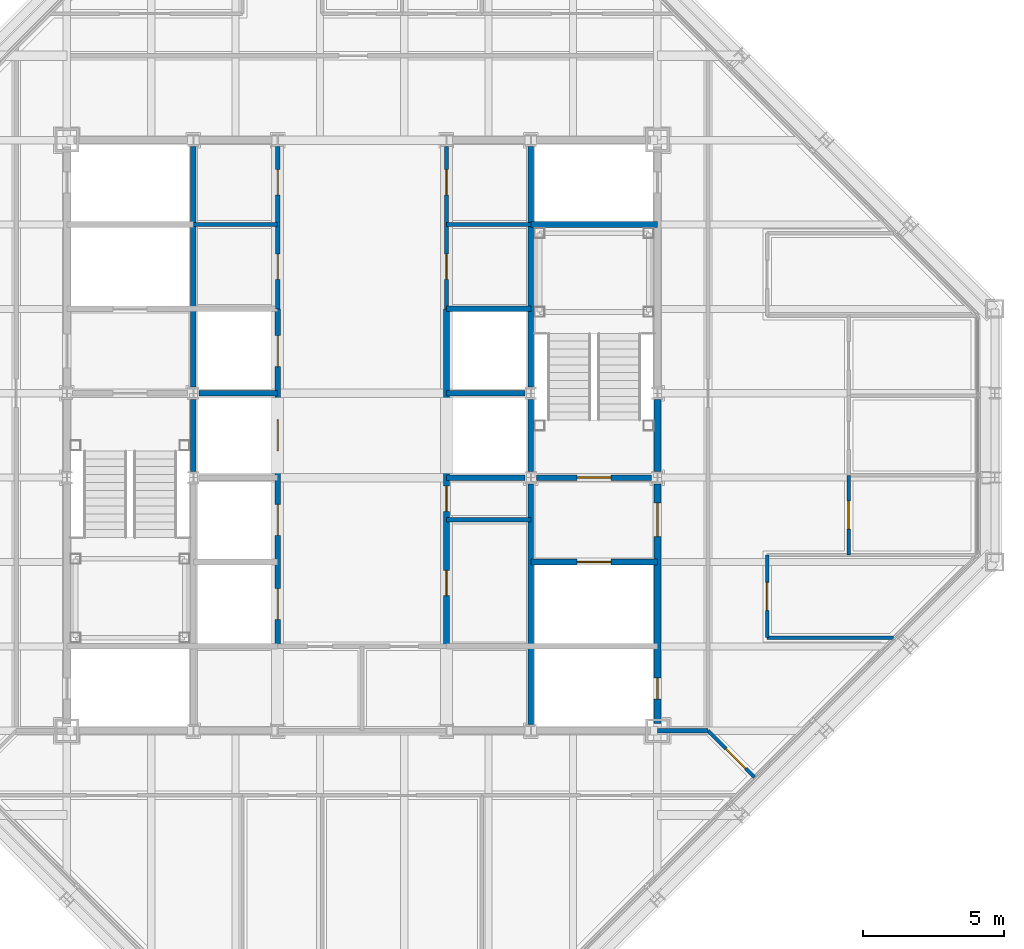
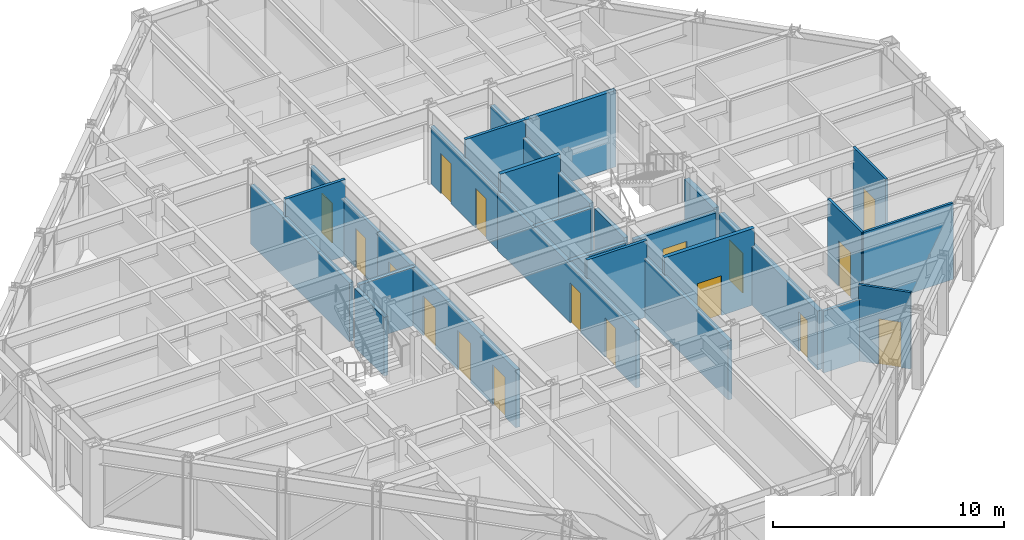
# One storey, part 11 of 15: 26 walls, 17 doors, 17 openings.
"""IFC4 building model written with IfcOpenShell, lengths in metres."""

from ifc_helpers import new_model, si_unit, direction, frame, frame_2d, origin, place, context, subcontext, project, spatial, rectangle, extrude, material, layer, layer_set, type_object, element, fill, save


model = new_model("IFC4")

# Units and contexts
model_context = context("Model", 3, precision=1e-05, world=origin(), true_north=direction((0.0, 1.0)))
body_context = subcontext(model_context, "Body", "Model", "MODEL_VIEW")
ifc_project = project(units=[si_unit("LENGTHUNIT", "METRE"), si_unit("AREAUNIT", "SQUARE_METRE"), si_unit("VOLUMEUNIT", "CUBIC_METRE"), si_unit("PLANEANGLEUNIT", "RADIAN"), si_unit("MASSUNIT", "GRAM", prefix="KILO")], contexts=[model_context])

# Site, building, storey
site_placement = place(None, origin())
site = spatial("IfcSite", under=ifc_project, at=site_placement, CompositionType="ELEMENT")
building_placement = place(site_placement, origin())
building = spatial("IfcBuilding", under=site, at=building_placement, Name="Chuquiago Exchange Tower", CompositionType="ELEMENT")
storey_placement = place(building_placement, frame((0.0, 0.0, 291.60009765625)))
storey = spatial("IfcBuildingStorey", under=building, at=storey_placement, Name="L65", CompositionType="ELEMENT", Elevation=291.60009765625)

# Wall, openings, doors
ifc_material_1 = material(Name="Concrete masonry, fully grouted", Category="masonry")
ifc_layer_1 = layer(ifc_material_1, 0.25)
ifc_layer_set_1 = layer_set([ifc_layer_1], Name="W1 core wall 250")
wall_type_1 = type_object("IfcWallType", Name="W1 core wall 250", PredefinedType="SOLIDWALL", material=ifc_layer_set_1)
wall_1_placement = place(storey_placement, frame((33.0, 12.25, 0.0), z_axis=(0.0, 0.0, 1.0), x_axis=(0.0, 1.0, 0.0)))
wall_1 = element("IfcWall", 1, at=wall_1_placement, inside=storey, type_object=wall_type_1, Name="CW-L65-25-0", PredefinedType="SOLIDWALL", context=body_context, shape_type="SweptSolid", body=[
    extrude(rectangle(XDim=8.527587890625, YDim=0.25, at=frame_2d((4.263671875, 0.0))), origin(), (0.0, 0.0, 1.0), 3.11279296875),
])
opening_1_placement = place(wall_1_placement, frame((6.64990234375, 0.0, 0.0)))
opening_1 = element("IfcOpeningElement", 2, at=opening_1_placement, cuts=wall_1, Name="Opening L65-004", PredefinedType="OPENING", context=body_context, shape_type="SweptSolid", body=[
    extrude(rectangle(XDim=1.199951171875, YDim=2.10009765625, at=frame_2d((0.60009765625, 1.050048828125))), frame((0.0, 0.135009765625, 0.0), z_axis=(0.0, -1.0, 0.0), x_axis=(1.0, 0.0, 0.0)), (0.0, 0.0, 1.0), 0.27001953125),
])
opening_2_placement = place(wall_1_placement, frame((0.875, 0.0, 0.0)))
opening_2 = element("IfcOpeningElement", 3, at=opening_2_placement, cuts=wall_1, Name="Opening L65-009", PredefinedType="OPENING", context=body_context, shape_type="SweptSolid", body=[
    extrude(rectangle(XDim=0.75, YDim=2.10009765625, at=frame_2d((0.375, 1.050048828125))), frame((0.0, 0.135009765625, 0.0), z_axis=(0.0, -1.0, 0.0), x_axis=(1.0, 0.0, 0.0)), (0.0, 0.0, 1.0), 0.27001953125),
])
ifc_material_2 = material(Name="Steel door, painted", Category="steel")
door_type_1 = type_object("IfcDoorType", Name="D5 firefighting lobby door 1200x2100", OperationType="SINGLE_SWING_LEFT", PredefinedType="DOOR", material=ifc_material_2)
door_1_placement = place(opening_1_placement, origin())
door_1 = element("IfcDoor", 4, at=door_1_placement, inside=storey, type_object=door_type_1, Name="Firefighting lobby 2 door", OperationType="SINGLE_SWING_RIGHT", OverallHeight=2.10009765625, OverallWidth=1.199951171875, PredefinedType="DOOR", context=body_context, shape_type="SweptSolid", body=[
    extrude(rectangle(XDim=1.199951171875, YDim=2.10009765625, at=frame_2d((0.60009765625, 1.050048828125))), frame((0.0, 0.02490234375, 0.0), z_axis=(0.0, -1.0, 0.0), x_axis=(1.0, 0.0, 0.0)), (0.0, 0.0, 1.0), 0.050048828125),
])
fill(opening_1, door_1)
ifc_material_3 = material(Name="Steel door, painted", Category="steel")
door_type_2 = type_object("IfcDoorType", Name="D6 riser access door 750x2100", OperationType="SINGLE_SWING_LEFT", PredefinedType="DOOR", material=ifc_material_3)
door_2_placement = place(opening_2_placement, origin())
door_2 = element("IfcDoor", 5, at=door_2_placement, inside=storey, type_object=door_type_2, Name="Riser RE1 door", OperationType="SINGLE_SWING_LEFT", OverallHeight=2.10009765625, OverallWidth=0.75, PredefinedType="DOOR", context=body_context, shape_type="SweptSolid", body=[
    extrude(rectangle(XDim=0.75, YDim=2.10009765625, at=frame_2d((0.375, 1.050048828125))), frame((0.0, 0.02490234375, 0.0), z_axis=(0.0, -1.0, 0.0), x_axis=(1.0, 0.0, 0.0)), (0.0, 0.0, 1.0), 0.050048828125),
])
fill(opening_2, door_2)

# Walls
wall_2_placement = place(storey_placement, frame((33.0, 21.222412109375, 0.0), z_axis=(0.0, 0.0, 1.0), x_axis=(0.0, 1.0, 0.0)))
element("IfcWall", 6, at=wall_2_placement, inside=storey, type_object=wall_type_1, Name="CW-L65-25-1", PredefinedType="SOLIDWALL", context=body_context, shape_type="SweptSolid", body=[
    extrude(rectangle(XDim=2.55517578125, YDim=0.25, at=frame_2d((1.277587890625, 0.0))), origin(), (0.0, 0.0, 1.0), 3.11279296875),
])
ifc_material_4 = material(Name="Gypsum board on steel studs, acoustic insulation", Category="steel")
ifc_layer_2 = layer(ifc_material_4, 0.14990234375)
ifc_layer_set_2 = layer_set([ifc_layer_2], Name="W11 corridor wall 150")
wall_type_2 = type_object("IfcWallType", Name="W11 corridor wall 150", PredefinedType="PARTITIONING", material=ifc_layer_set_2)
wall_3_placement = place(storey_placement, frame((33.0, 12.0, 0.0), z_axis=(0.0, 0.0, 1.0), x_axis=(1.0, 0.0, 0.0)))
element("IfcWall", 7, at=wall_3_placement, inside=storey, type_object=wall_type_2, Name="PW-L65-GES0", PredefinedType="PARTITIONING", context=body_context, shape_type="SweptSolid", body=[
    extrude(rectangle(XDim=1.800048828125, YDim=0.14990234375, at=frame_2d((0.89990234375, 0.0))), origin(), (0.0, 0.0, 1.0), 3.270263671875),
])
ifc_material_5 = material(Name="Concrete masonry, fully grouted", Category="masonry")
ifc_layer_3 = layer(ifc_material_5, 0.199951171875)
ifc_layer_set_3 = layer_set([ifc_layer_3], Name="W2 shaft wall 200")
wall_type_3 = type_object("IfcWallType", Name="W2 shaft wall 200", PredefinedType="SOLIDWALL", material=ifc_layer_set_3)
for number, where, z_axis, x_axis, name in (
    (8, (16.708251953125, 24.0, 0.0), (0.0, 0.0, 1.0), (1.0, 0.0, 0.0), "CW-L65-05-1"),
    (9, (25.5, 24.0, 0.0), (0.0, 0.0, 1.0), (1.0, 0.0, 0.0), "CW-L65-06-0"),
):
    element("IfcWall", number, at=place(storey_placement, frame(where, z_axis=z_axis, x_axis=x_axis)), inside=storey, type_object=wall_type_3, Name=name, PredefinedType="SOLIDWALL", context=body_context, shape_type="SweptSolid", body=[
        extrude(rectangle(XDim=2.791748046875, YDim=0.199951171875, at=frame_2d((1.39599609375, 0.0))), origin(), (0.0, 0.0, 1.0), 3.08984375),
    ])
wall_4_placement = place(storey_placement, frame((25.5, 27.0, 0.0), z_axis=(0.0, 0.0, 1.0), x_axis=(1.0, 0.0, 0.0)))
element("IfcWall", 10, at=wall_4_placement, inside=storey, type_object=wall_type_3, Name="CW-L65-08-0", PredefinedType="SOLIDWALL", context=body_context, shape_type="SweptSolid", body=[
    extrude(rectangle(XDim=3.0, YDim=0.199951171875, at=frame_2d((1.5, 0.0))), origin(), (0.0, 0.0, 1.0), 4.039794921875),
])
wall_5_placement = place(storey_placement, frame((28.5, 30.0, 0.0), z_axis=(0.0, 0.0, 1.0), x_axis=(1.0, 0.0, 0.0)))
element("IfcWall", 11, at=wall_5_placement, inside=storey, type_object=wall_type_3, Name="CW-L65-10-0", PredefinedType="SOLIDWALL", context=body_context, shape_type="SweptSolid", body=[
    extrude(rectangle(XDim=4.5, YDim=0.199951171875, at=frame_2d((2.25, 0.0))), origin(), (0.0, 0.0, 1.0), 4.039794921875),
])
wall_6_placement = place(storey_placement, frame((16.5, 21.222412109375, 0.0), z_axis=(0.0, 0.0, 1.0), x_axis=(0.0, 1.0, 0.0)))
element("IfcWall", 12, at=wall_6_placement, inside=storey, type_object=wall_type_3, Name="CW-L65-13-1", PredefinedType="SOLIDWALL", context=body_context, shape_type="SweptSolid", body=[
    extrude(rectangle(XDim=2.55517578125, YDim=0.199951171875, at=frame_2d((1.277587890625, 0.0))), origin(), (0.0, 0.0, 1.0), 3.11279296875),
])
wall_7_placement = place(storey_placement, frame((16.5, 24.222412109375, 0.0), z_axis=(0.0, 0.0, 1.0), x_axis=(0.0, 1.0, 0.0)))
element("IfcWall", 13, at=wall_7_placement, inside=storey, type_object=wall_type_3, Name="CW-L65-13-2", PredefinedType="SOLIDWALL", context=body_context, shape_type="SweptSolid", body=[
    extrude(rectangle(XDim=8.55517578125, YDim=0.199951171875, at=frame_2d((4.277587890625, 0.0))), origin(), (0.0, 0.0, 1.0), 3.11279296875),
])

# Wall, opening, door
wall_8_placement = place(storey_placement, frame((28.5, 18.0, 0.0), z_axis=(0.0, 0.0, 1.0), x_axis=(1.0, 0.0, 0.0)))
wall_8 = element("IfcWall", 14, at=wall_8_placement, inside=storey, type_object=wall_type_3, Name="CW-L65-15-0", PredefinedType="SOLIDWALL", context=body_context, shape_type="SweptSolid", body=[
    extrude(rectangle(XDim=4.5, YDim=0.199951171875, at=frame_2d((2.25, 0.0))), origin(), (0.0, 0.0, 1.0), 4.039794921875),
])
opening_3_placement = place(wall_8_placement, frame((1.64990234375, 0.0, 0.0)))
opening_3 = element("IfcOpeningElement", 15, at=opening_3_placement, cuts=wall_8, Name="Opening L65-006", PredefinedType="OPENING", context=body_context, shape_type="SweptSolid", body=[
    extrude(rectangle(XDim=1.199951171875, YDim=2.10009765625, at=frame_2d((0.60009765625, 1.050048828125))), frame((0.0, 0.10986328125, 0.0), z_axis=(0.0, -1.0, 0.0), x_axis=(1.0, 0.0, 0.0)), (0.0, 0.0, 1.0), 0.219970703125),
])
ifc_material_6 = material(Name="Stainless steel lift landing door", Category="steel")
door_type_3 = type_object("IfcDoorType", Name="LD2 firefighting lift landing door 1200x2100", OperationType="DOUBLE_DOOR_SLIDING", PredefinedType="DOOR", material=ifc_material_6)
door_3_placement = place(opening_3_placement, origin())
door_3 = element("IfcDoor", 16, at=door_3_placement, inside=storey, type_object=door_type_3, Name="Firefighting lift FL2 landing door", OperationType="DOUBLE_DOOR_SLIDING", OverallHeight=2.10009765625, OverallWidth=1.199951171875, PredefinedType="DOOR", context=body_context, shape_type="SweptSolid", body=[
    extrude(rectangle(XDim=1.199951171875, YDim=2.10009765625, at=frame_2d((0.60009765625, 1.050048828125))), frame((0.0, 0.02490234375, 0.0), z_axis=(0.0, -1.0, 0.0), x_axis=(1.0, 0.0, 0.0)), (0.0, 0.0, 1.0), 0.050048828125),
])
fill(opening_3, door_3)

# Wall
wall_9_placement = place(storey_placement, frame((25.5, 21.0, 0.0), z_axis=(0.0, 0.0, 1.0), x_axis=(1.0, 0.0, 0.0)))
element("IfcWall", 17, at=wall_9_placement, inside=storey, type_object=wall_type_3, Name="CW-L65-17-0", PredefinedType="SOLIDWALL", context=body_context, shape_type="SweptSolid", body=[
    extrude(rectangle(XDim=2.791748046875, YDim=0.199951171875, at=frame_2d((1.39599609375, 0.0))), origin(), (0.0, 0.0, 1.0), 3.08984375),
])

# Wall, opening, door
wall_10_placement = place(storey_placement, frame((28.708251953125, 21.0, 0.0), z_axis=(0.0, 0.0, 1.0), x_axis=(1.0, 0.0, 0.0)))
wall_10 = element("IfcWall", 18, at=wall_10_placement, inside=storey, type_object=wall_type_3, Name="CW-L65-17-1", PredefinedType="SOLIDWALL", context=body_context, shape_type="SweptSolid", body=[
    extrude(rectangle(XDim=4.08349609375, YDim=0.199951171875, at=frame_2d((2.041748046875, 0.0))), origin(), (0.0, 0.0, 1.0), 3.08984375),
])
opening_4_placement = place(wall_10_placement, frame((1.441650390625, 0.0, 0.0)))
opening_4 = element("IfcOpeningElement", 19, at=opening_4_placement, cuts=wall_10, Name="Opening L65-003", PredefinedType="OPENING", context=body_context, shape_type="SweptSolid", body=[
    extrude(rectangle(XDim=1.199951171875, YDim=2.10009765625, at=frame_2d((0.60009765625, 1.050048828125))), frame((0.0, 0.10986328125, 0.0), z_axis=(0.0, -1.0, 0.0), x_axis=(1.0, 0.0, 0.0)), (0.0, 0.0, 1.0), 0.219970703125),
])
ifc_material_7 = material(Name="Steel door, painted", Category="steel")
door_type_4 = type_object("IfcDoorType", Name="D4 stair door 1200x2100", OperationType="SINGLE_SWING_LEFT", PredefinedType="DOOR", material=ifc_material_7)
door_4_placement = place(opening_4_placement, origin())
door_4 = element("IfcDoor", 20, at=door_4_placement, inside=storey, type_object=door_type_4, Name="Stair ST2 door", OperationType="SINGLE_SWING_RIGHT", OverallHeight=2.10009765625, OverallWidth=1.199951171875, PredefinedType="DOOR", context=body_context, shape_type="SweptSolid", body=[
    extrude(rectangle(XDim=1.199951171875, YDim=2.10009765625, at=frame_2d((0.60009765625, 1.050048828125))), frame((0.0, 0.02490234375, 0.0), z_axis=(0.0, -1.0, 0.0), x_axis=(1.0, 0.0, 0.0)), (0.0, 0.0, 1.0), 0.050048828125),
])
fill(opening_4, door_4)

# Wall, openings, doors
wall_11_placement = place(storey_placement, frame((19.5, 15.0, 0.0), z_axis=(0.0, 0.0, 1.0), x_axis=(0.0, 1.0, 0.0)))
wall_11 = element("IfcWall", 21, at=wall_11_placement, inside=storey, type_object=wall_type_3, Name="CW-L65-19-0", PredefinedType="SOLIDWALL", context=body_context, shape_type="SweptSolid", body=[
    extrude(rectangle(XDim=12.0, YDim=0.199951171875, at=frame_2d((6.0, 0.0))), origin(), (0.0, 0.0, 1.0), 3.064453125),
])
opening_5_placement = place(wall_11_placement, frame((0.949951171875, 0.0, 0.0)))
opening_5 = element("IfcOpeningElement", 22, at=opening_5_placement, cuts=wall_11, Name="Opening L65-019", PredefinedType="OPENING", context=body_context, shape_type="SweptSolid", body=[
    extrude(rectangle(XDim=1.10009765625, YDim=2.10009765625, at=frame_2d((0.550048828125, 1.050048828125))), frame((0.0, 0.10986328125, 0.0), z_axis=(0.0, -1.0, 0.0), x_axis=(1.0, 0.0, 0.0)), (0.0, 0.0, 1.0), 0.219970703125),
])
opening_6_placement = place(wall_11_placement, frame((3.949951171875, 0.0, 0.0)))
opening_6 = element("IfcOpeningElement", 23, at=opening_6_placement, cuts=wall_11, Name="Opening L65-020", PredefinedType="OPENING", context=body_context, shape_type="SweptSolid", body=[
    extrude(rectangle(XDim=1.10009765625, YDim=2.10009765625, at=frame_2d((0.550048828125, 1.050048828125))), frame((0.0, 0.10986328125, 0.0), z_axis=(0.0, -1.0, 0.0), x_axis=(1.0, 0.0, 0.0)), (0.0, 0.0, 1.0), 0.219970703125),
])
opening_7_placement = place(wall_11_placement, frame((6.949951171875, 0.0, 0.0)))
opening_7 = element("IfcOpeningElement", 24, at=opening_7_placement, cuts=wall_11, Name="Opening L65-021", PredefinedType="OPENING", context=body_context, shape_type="SweptSolid", body=[
    extrude(rectangle(XDim=1.10009765625, YDim=2.10009765625, at=frame_2d((0.550048828125, 1.050048828125))), frame((0.0, 0.10986328125, 0.0), z_axis=(0.0, -1.0, 0.0), x_axis=(1.0, 0.0, 0.0)), (0.0, 0.0, 1.0), 0.219970703125),
])
opening_8_placement = place(wall_11_placement, frame((9.949951171875, 0.0, 0.0)))
opening_8 = element("IfcOpeningElement", 25, at=opening_8_placement, cuts=wall_11, Name="Opening L65-022", PredefinedType="OPENING", context=body_context, shape_type="SweptSolid", body=[
    extrude(rectangle(XDim=1.10009765625, YDim=2.10009765625, at=frame_2d((0.550048828125, 1.050048828125))), frame((0.0, 0.10986328125, 0.0), z_axis=(0.0, -1.0, 0.0), x_axis=(1.0, 0.0, 0.0)), (0.0, 0.0, 1.0), 0.219970703125),
])
ifc_material_8 = material(Name="Stainless steel lift landing door", Category="steel")
door_type_5 = type_object("IfcDoorType", Name="LD1 lift landing door 1100x2100", OperationType="DOUBLE_DOOR_SLIDING", PredefinedType="DOOR", material=ifc_material_8)
door_5_placement = place(opening_5_placement, origin())
door_5 = element("IfcDoor", 26, at=door_5_placement, inside=storey, type_object=door_type_5, Name="Lift LD1 landing door", OperationType="DOUBLE_DOOR_SLIDING", OverallHeight=2.10009765625, OverallWidth=1.10009765625, PredefinedType="DOOR", context=body_context, shape_type="SweptSolid", body=[
    extrude(rectangle(XDim=1.10009765625, YDim=2.10009765625, at=frame_2d((0.550048828125, 1.050048828125))), frame((0.0, 0.02490234375, 0.0), z_axis=(0.0, -1.0, 0.0), x_axis=(1.0, 0.0, 0.0)), (0.0, 0.0, 1.0), 0.050048828125),
])
fill(opening_5, door_5)
door_6_placement = place(opening_6_placement, origin())
door_6 = element("IfcDoor", 27, at=door_6_placement, inside=storey, type_object=door_type_5, Name="Lift LD2 landing door", OperationType="DOUBLE_DOOR_SLIDING", OverallHeight=2.10009765625, OverallWidth=1.10009765625, PredefinedType="DOOR", context=body_context, shape_type="SweptSolid", body=[
    extrude(rectangle(XDim=1.10009765625, YDim=2.10009765625, at=frame_2d((0.550048828125, 1.050048828125))), frame((0.0, 0.02490234375, 0.0), z_axis=(0.0, -1.0, 0.0), x_axis=(1.0, 0.0, 0.0)), (0.0, 0.0, 1.0), 0.050048828125),
])
fill(opening_6, door_6)
door_7_placement = place(opening_7_placement, origin())
door_7 = element("IfcDoor", 28, at=door_7_placement, inside=storey, type_object=door_type_5, Name="Lift LD3 landing door", OperationType="DOUBLE_DOOR_SLIDING", OverallHeight=2.10009765625, OverallWidth=1.10009765625, PredefinedType="DOOR", context=body_context, shape_type="SweptSolid", body=[
    extrude(rectangle(XDim=1.10009765625, YDim=2.10009765625, at=frame_2d((0.550048828125, 1.050048828125))), frame((0.0, 0.02490234375, 0.0), z_axis=(0.0, -1.0, 0.0), x_axis=(1.0, 0.0, 0.0)), (0.0, 0.0, 1.0), 0.050048828125),
])
fill(opening_7, door_7)
door_8_placement = place(opening_8_placement, origin())
door_8 = element("IfcDoor", 29, at=door_8_placement, inside=storey, type_object=door_type_5, Name="Lift LD4 landing door", OperationType="DOUBLE_DOOR_SLIDING", OverallHeight=2.10009765625, OverallWidth=1.10009765625, PredefinedType="DOOR", context=body_context, shape_type="SweptSolid", body=[
    extrude(rectangle(XDim=1.10009765625, YDim=2.10009765625, at=frame_2d((0.550048828125, 1.050048828125))), frame((0.0, 0.02490234375, 0.0), z_axis=(0.0, -1.0, 0.0), x_axis=(1.0, 0.0, 0.0)), (0.0, 0.0, 1.0), 0.050048828125),
])
fill(opening_8, door_8)

wall_12_placement = place(storey_placement, frame((25.5, 15.0, 0.0), z_axis=(0.0, 0.0, 1.0), x_axis=(0.0, 1.0, 0.0)))
wall_12 = element("IfcWall", 30, at=wall_12_placement, inside=storey, type_object=wall_type_3, Name="CW-L65-22-0", PredefinedType="SOLIDWALL", context=body_context, shape_type="SweptSolid", body=[
    extrude(rectangle(XDim=12.0, YDim=0.199951171875, at=frame_2d((6.0, 0.0))), origin(), (0.0, 0.0, 1.0), 3.064453125),
])
opening_9_placement = place(wall_12_placement, frame((1.800048828125, 0.0, 0.0)))
opening_9 = element("IfcOpeningElement", 31, at=opening_9_placement, cuts=wall_12, Name="Opening L65-016", PredefinedType="OPENING", context=body_context, shape_type="SweptSolid", body=[
    extrude(rectangle(XDim=0.89990234375, YDim=2.10009765625, at=frame_2d((0.449951171875, 1.050048828125))), frame((0.0, 0.10986328125, 0.0), z_axis=(0.0, -1.0, 0.0), x_axis=(1.0, 0.0, 0.0)), (0.0, 0.0, 1.0), 0.219970703125),
])
opening_10_placement = place(wall_12_placement, frame((4.800048828125, 0.0, 0.0)))
opening_10 = element("IfcOpeningElement", 32, at=opening_10_placement, cuts=wall_12, Name="Opening L65-017", PredefinedType="OPENING", context=body_context, shape_type="SweptSolid", body=[
    extrude(rectangle(XDim=0.89990234375, YDim=2.10009765625, at=frame_2d((0.449951171875, 1.050048828125))), frame((0.0, 0.10986328125, 0.0), z_axis=(0.0, -1.0, 0.0), x_axis=(1.0, 0.0, 0.0)), (0.0, 0.0, 1.0), 0.219970703125),
])
ifc_material_9 = material(Name="Timber door, laminate faced", Category="wood")
door_type_6 = type_object("IfcDoorType", Name="D16 core room door 900x2100", OperationType="SINGLE_SWING_LEFT", PredefinedType="DOOR", material=ifc_material_9)
door_9_placement = place(opening_9_placement, frame((0.89990234375, 0.0, 0.0), z_axis=(0.0, 0.0, 1.0), x_axis=(-1.0, 0.0, 0.0)))
door_9 = element("IfcDoor", 33, at=door_9_placement, inside=storey, type_object=door_type_6, Name="Catering store door", OperationType="SINGLE_SWING_RIGHT", OverallHeight=2.10009765625, OverallWidth=0.89990234375, PredefinedType="DOOR", context=body_context, shape_type="SweptSolid", body=[
    extrude(rectangle(XDim=0.89990234375, YDim=2.10009765625, at=frame_2d((0.449951171875, 1.050048828125))), frame((0.0, 0.02490234375, 0.0), z_axis=(0.0, -1.0, 0.0), x_axis=(1.0, 0.0, 0.0)), (0.0, 0.0, 1.0), 0.050048828125),
])
fill(opening_9, door_9)
door_10_placement = place(opening_10_placement, frame((0.89990234375, 0.0, 0.0), z_axis=(0.0, 0.0, 1.0), x_axis=(-1.0, 0.0, 0.0)))
door_10 = element("IfcDoor", 34, at=door_10_placement, inside=storey, type_object=door_type_6, Name="Club servery door", OperationType="SINGLE_SWING_LEFT", OverallHeight=2.10009765625, OverallWidth=0.89990234375, PredefinedType="DOOR", context=body_context, shape_type="SweptSolid", body=[
    extrude(rectangle(XDim=0.89990234375, YDim=2.10009765625, at=frame_2d((0.449951171875, 1.050048828125))), frame((0.0, 0.02490234375, 0.0), z_axis=(0.0, -1.0, 0.0), x_axis=(1.0, 0.0, 0.0)), (0.0, 0.0, 1.0), 0.050048828125),
])
fill(opening_10, door_10)

# Walls
wall_13_placement = place(storey_placement, frame((28.5, 12.222412109375, 0.0), z_axis=(0.0, 0.0, 1.0), x_axis=(0.0, 1.0, 0.0)))
element("IfcWall", 35, at=wall_13_placement, inside=storey, type_object=wall_type_3, Name="CW-L65-24-0", PredefinedType="SOLIDWALL", context=body_context, shape_type="SweptSolid", body=[
    extrude(rectangle(XDim=8.55517578125, YDim=0.199951171875, at=frame_2d((4.277587890625, 0.0))), origin(), (0.0, 0.0, 1.0), 3.11279296875),
])
wall_14_placement = place(storey_placement, frame((28.5, 21.222412109375, 0.0), z_axis=(0.0, 0.0, 1.0), x_axis=(0.0, 1.0, 0.0)))
element("IfcWall", 36, at=wall_14_placement, inside=storey, type_object=wall_type_3, Name="CW-L65-24-1", PredefinedType="SOLIDWALL", context=body_context, shape_type="SweptSolid", body=[
    extrude(rectangle(XDim=2.55517578125, YDim=0.199951171875, at=frame_2d((1.277587890625, 0.0))), origin(), (0.0, 0.0, 1.0), 3.11279296875),
])
wall_15_placement = place(storey_placement, frame((28.5, 24.222412109375, 0.0), z_axis=(0.0, 0.0, 1.0), x_axis=(0.0, 1.0, 0.0)))
element("IfcWall", 37, at=wall_15_placement, inside=storey, type_object=wall_type_3, Name="CW-L65-24-2", PredefinedType="SOLIDWALL", context=body_context, shape_type="SweptSolid", body=[
    extrude(rectangle(XDim=8.55517578125, YDim=0.199951171875, at=frame_2d((4.277587890625, 0.0))), origin(), (0.0, 0.0, 1.0), 3.11279296875),
])

# Wall, openings, doors
ifc_material_10 = material(Name="Gypsum board on steel studs", Category="steel")
ifc_layer_4 = layer(ifc_material_10, 0.14990234375)
ifc_layer_set_4 = layer_set([ifc_layer_4], Name="W3 core partition 150")
wall_type_4 = type_object("IfcWallType", Name="W3 core partition 150", PredefinedType="PARTITIONING", material=ifc_layer_set_4)
wall_16_placement = place(storey_placement, frame((19.5, 27.0, 0.0), z_axis=(0.0, 0.0, 1.0), x_axis=(0.0, 1.0, 0.0)))
wall_16 = element("IfcWall", 38, at=wall_16_placement, inside=storey, type_object=wall_type_4, Name="CW-L65-20-0", PredefinedType="PARTITIONING", context=body_context, shape_type="SweptSolid", body=[
    extrude(rectangle(XDim=5.777587890625, YDim=0.14990234375, at=frame_2d((2.888671875, 0.0))), origin(), (0.0, 0.0, 1.0), 3.064453125),
])
opening_11_placement = place(wall_16_placement, frame((1.050048828125, 0.0, 0.0)))
opening_11 = element("IfcOpeningElement", 39, at=opening_11_placement, cuts=wall_16, Name="Opening L65-011", PredefinedType="OPENING", context=body_context, shape_type="SweptSolid", body=[
    extrude(rectangle(XDim=0.89990234375, YDim=2.10009765625, at=frame_2d((0.449951171875, 1.050048828125))), frame((0.0, 0.0849609375, 0.0), z_axis=(0.0, -1.0, 0.0), x_axis=(1.0, 0.0, 0.0)), (0.0, 0.0, 1.0), 0.169921875),
])
opening_12_placement = place(wall_16_placement, frame((4.050048828125, 0.0, 0.0)))
opening_12 = element("IfcOpeningElement", 40, at=opening_12_placement, cuts=wall_16, Name="Opening L65-012", PredefinedType="OPENING", context=body_context, shape_type="SweptSolid", body=[
    extrude(rectangle(XDim=0.89990234375, YDim=2.10009765625, at=frame_2d((0.449951171875, 1.050048828125))), frame((0.0, 0.0849609375, 0.0), z_axis=(0.0, -1.0, 0.0), x_axis=(1.0, 0.0, 0.0)), (0.0, 0.0, 1.0), 0.169921875),
])
door_11_placement = place(opening_12_placement, origin())
door_11 = element("IfcDoor", 41, at=door_11_placement, inside=storey, type_object=door_type_6, Name="Staff shower room door", OperationType="SINGLE_SWING_RIGHT", OverallHeight=2.10009765625, OverallWidth=0.89990234375, PredefinedType="DOOR", context=body_context, shape_type="SweptSolid", body=[
    extrude(rectangle(XDim=0.89990234375, YDim=2.10009765625, at=frame_2d((0.449951171875, 1.050048828125))), frame((0.0, 0.02490234375, 0.0), z_axis=(0.0, -1.0, 0.0), x_axis=(1.0, 0.0, 0.0)), (0.0, 0.0, 1.0), 0.050048828125),
])
fill(opening_12, door_11)
ifc_material_11 = material(Name="Timber door, laminate faced", Category="wood")
door_type_7 = type_object("IfcDoorType", Name="D7 toilet door 900x2100", OperationType="SINGLE_SWING_LEFT", PredefinedType="DOOR", material=ifc_material_11)
door_12_placement = place(opening_11_placement, origin())
door_12 = element("IfcDoor", 42, at=door_12_placement, inside=storey, type_object=door_type_7, Name="Male WC door", OperationType="SINGLE_SWING_LEFT", OverallHeight=2.10009765625, OverallWidth=0.89990234375, PredefinedType="DOOR", context=body_context, shape_type="SweptSolid", body=[
    extrude(rectangle(XDim=0.89990234375, YDim=2.10009765625, at=frame_2d((0.449951171875, 1.050048828125))), frame((0.0, 0.02490234375, 0.0), z_axis=(0.0, -1.0, 0.0), x_axis=(1.0, 0.0, 0.0)), (0.0, 0.0, 1.0), 0.050048828125),
])
fill(opening_11, door_12)

wall_17_placement = place(storey_placement, frame((25.5, 27.0, 0.0), z_axis=(0.0, 0.0, 1.0), x_axis=(0.0, 1.0, 0.0)))
wall_17 = element("IfcWall", 43, at=wall_17_placement, inside=storey, type_object=wall_type_4, Name="CW-L65-23-0", PredefinedType="PARTITIONING", context=body_context, shape_type="SweptSolid", body=[
    extrude(rectangle(XDim=5.777587890625, YDim=0.14990234375, at=frame_2d((2.888671875, 0.0))), origin(), (0.0, 0.0, 1.0), 3.064453125),
])
opening_13_placement = place(wall_17_placement, frame((1.050048828125, 0.0, 0.0)))
opening_13 = element("IfcOpeningElement", 44, at=opening_13_placement, cuts=wall_17, Name="Opening L65-013", PredefinedType="OPENING", context=body_context, shape_type="SweptSolid", body=[
    extrude(rectangle(XDim=0.89990234375, YDim=2.10009765625, at=frame_2d((0.449951171875, 1.050048828125))), frame((0.0, 0.0849609375, 0.0), z_axis=(0.0, -1.0, 0.0), x_axis=(1.0, 0.0, 0.0)), (0.0, 0.0, 1.0), 0.169921875),
])
opening_14_placement = place(wall_17_placement, frame((4.050048828125, 0.0, 0.0)))
opening_14 = element("IfcOpeningElement", 45, at=opening_14_placement, cuts=wall_17, Name="Opening L65-014", PredefinedType="OPENING", context=body_context, shape_type="SweptSolid", body=[
    extrude(rectangle(XDim=0.89990234375, YDim=2.10009765625, at=frame_2d((0.449951171875, 1.050048828125))), frame((0.0, 0.0849609375, 0.0), z_axis=(0.0, -1.0, 0.0), x_axis=(1.0, 0.0, 0.0)), (0.0, 0.0, 1.0), 0.169921875),
])
door_13_placement = place(opening_14_placement, frame((0.89990234375, 0.0, 0.0), z_axis=(0.0, 0.0, 1.0), x_axis=(-1.0, 0.0, 0.0)))
door_13 = element("IfcDoor", 46, at=door_13_placement, inside=storey, type_object=door_type_6, Name="Baby change room door", OperationType="SINGLE_SWING_LEFT", OverallHeight=2.10009765625, OverallWidth=0.89990234375, PredefinedType="DOOR", context=body_context, shape_type="SweptSolid", body=[
    extrude(rectangle(XDim=0.89990234375, YDim=2.10009765625, at=frame_2d((0.449951171875, 1.050048828125))), frame((0.0, 0.02490234375, 0.0), z_axis=(0.0, -1.0, 0.0), x_axis=(1.0, 0.0, 0.0)), (0.0, 0.0, 1.0), 0.050048828125),
])
fill(opening_14, door_13)
door_14_placement = place(opening_13_placement, frame((0.89990234375, 0.0, 0.0), z_axis=(0.0, 0.0, 1.0), x_axis=(-1.0, 0.0, 0.0)))
door_14 = element("IfcDoor", 47, at=door_14_placement, inside=storey, type_object=door_type_7, Name="Female WC door", OperationType="SINGLE_SWING_RIGHT", OverallHeight=2.10009765625, OverallWidth=0.89990234375, PredefinedType="DOOR", context=body_context, shape_type="SweptSolid", body=[
    extrude(rectangle(XDim=0.89990234375, YDim=2.10009765625, at=frame_2d((0.449951171875, 1.050048828125))), frame((0.0, 0.02490234375, 0.0), z_axis=(0.0, -1.0, 0.0), x_axis=(1.0, 0.0, 0.0)), (0.0, 0.0, 1.0), 0.050048828125),
])
fill(opening_13, door_14)

# Walls
for number, where, z_axis, x_axis, name in (
    (48, (16.5, 30.0, 0.0), (0.0, 0.0, 1.0), (1.0, 0.0, 0.0), "CW-L65-WCMS"),
    (49, (25.5, 30.0, 0.0), (0.0, 0.0, 1.0), (1.0, 0.0, 0.0), "CW-L65-WCFS"),
    (50, (25.5, 19.5, 0.0), (0.0, 0.0, 1.0), (1.0, 0.0, 0.0), "CW-L65-EBR1-N"),
):
    element("IfcWall", number, at=place(storey_placement, frame(where, z_axis=z_axis, x_axis=x_axis)), inside=storey, type_object=wall_type_4, Name=name, PredefinedType="PARTITIONING", context=body_context, shape_type="SweptSolid", body=[
        extrude(rectangle(XDim=3.0, YDim=0.14990234375, at=frame_2d((1.5, 0.0))), origin(), (0.0, 0.0, 1.0), 4.039794921875),
    ])
ifc_material_12 = material(Name="Gypsum board on steel studs", Category="steel")
ifc_layer_5 = layer(ifc_material_12, 0.1201171875)
ifc_layer_set_5 = layer_set([ifc_layer_5], Name="W4 partition 120")
wall_type_5 = type_object("IfcWallType", Name="W4 partition 120", PredefinedType="PARTITIONING", material=ifc_layer_set_5)
wall_18_placement = place(storey_placement, frame((41.392578125, 15.30712890625, 0.0), z_axis=(0.0, 0.0, 1.0), x_axis=(-1.0, 0.0, 0.0)))
element("IfcWall", 51, at=wall_18_placement, inside=storey, type_object=wall_type_5, Name="PW-L65-E01531", PredefinedType="PARTITIONING", context=body_context, shape_type="SweptSolid", body=[
    extrude(rectangle(XDim=4.49267578125, YDim=0.1201171875, at=frame_2d((2.246337890625, 0.0))), origin(), (0.0, 0.0, 1.0), 4.039794921875),
])

# Wall, opening, door
wall_19_placement = place(storey_placement, frame((36.89990234375, 15.30712890625, 0.0), z_axis=(0.0, 0.0, 1.0), x_axis=(0.0, 1.0, 0.0)))
wall_19 = element("IfcWall", 52, at=wall_19_placement, inside=storey, type_object=wall_type_5, Name="PW-L65-EF01531", PredefinedType="PARTITIONING", context=body_context, shape_type="SweptSolid", body=[
    extrude(rectangle(XDim=2.94140625, YDim=0.1201171875, at=frame_2d((1.470703125, 0.0))), origin(), (0.0, 0.0, 1.0), 4.039794921875),
])
opening_15_placement = place(wall_19_placement, frame((0.970703125, 0.0, 0.0)))
opening_15 = element("IfcOpeningElement", 53, at=opening_15_placement, cuts=wall_19, Name="Opening L65-027", PredefinedType="OPENING", context=body_context, shape_type="SweptSolid", body=[
    extrude(rectangle(XDim=1.0, YDim=2.39990234375, at=frame_2d((0.5, 1.199951171875))), frame((0.0, 0.070068359375, 0.0), z_axis=(0.0, -1.0, 0.0), x_axis=(1.0, 0.0, 0.0)), (0.0, 0.0, 1.0), 0.14013671875),
])
ifc_material_13 = material(Name="Timber door, laminate faced", Category="wood")
door_type_8 = type_object("IfcDoorType", Name="D9 room door 1000x2400", OperationType="SINGLE_SWING_LEFT", PredefinedType="DOOR", material=ifc_material_13)
door_15_placement = place(opening_15_placement, frame((1.0, 0.0, 0.0), z_axis=(0.0, 0.0, 1.0), x_axis=(-1.0, 0.0, 0.0)))
door_15 = element("IfcDoor", 54, at=door_15_placement, inside=storey, type_object=door_type_8, Name="Executive office door", OperationType="SINGLE_SWING_LEFT", OverallHeight=2.39990234375, OverallWidth=1.0, PredefinedType="DOOR", context=body_context, shape_type="SweptSolid", body=[
    extrude(rectangle(XDim=1.0, YDim=2.39990234375, at=frame_2d((0.5, 1.199951171875))), frame((0.0, 0.02490234375, 0.0), z_axis=(0.0, -1.0, 0.0), x_axis=(1.0, 0.0, 0.0)), (0.0, 0.0, 1.0), 0.050048828125),
])
fill(opening_15, door_15)

wall_20_placement = place(storey_placement, frame((39.800048828125, 18.24853515625, 0.0), z_axis=(0.0, 0.0, 1.0), x_axis=(0.0, 1.0, 0.0)))
wall_20 = element("IfcWall", 55, at=wall_20_placement, inside=storey, type_object=wall_type_5, Name="PW-L65-EF01825", PredefinedType="PARTITIONING", context=body_context, shape_type="SweptSolid", body=[
    extrude(rectangle(XDim=2.834228515625, YDim=0.1201171875, at=frame_2d((1.4169921875, 0.0))), origin(), (0.0, 0.0, 1.0), 4.039794921875),
])
opening_16_placement = place(wall_20_placement, frame((0.9169921875, 0.0, 0.0)))
opening_16 = element("IfcOpeningElement", 56, at=opening_16_placement, cuts=wall_20, Name="Opening L65-028", PredefinedType="OPENING", context=body_context, shape_type="SweptSolid", body=[
    extrude(rectangle(XDim=1.0, YDim=2.39990234375, at=frame_2d((0.5, 1.199951171875))), frame((0.0, 0.070068359375, 0.0), z_axis=(0.0, -1.0, 0.0), x_axis=(1.0, 0.0, 0.0)), (0.0, 0.0, 1.0), 0.14013671875),
])
ifc_material_14 = material(Name="Timber frame door, full height glazed panel", Category="wood")
door_type_9 = type_object("IfcDoorType", Name="D14 glazed meeting room door 1000x2400", OperationType="SINGLE_SWING_LEFT", PredefinedType="DOOR", material=ifc_material_14)
door_16_placement = place(opening_16_placement, frame((1.0, 0.0, 0.0), z_axis=(0.0, 0.0, 1.0), x_axis=(-1.0, 0.0, 0.0)))
door_16 = element("IfcDoor", 57, at=door_16_placement, inside=storey, type_object=door_type_9, Name="Focus room door", OperationType="SINGLE_SWING_RIGHT", OverallHeight=2.39990234375, OverallWidth=1.0, PredefinedType="DOOR", context=body_context, shape_type="SweptSolid", body=[
    extrude(rectangle(XDim=1.0, YDim=2.39990234375, at=frame_2d((0.5, 1.199951171875))), frame((0.0, 0.02490234375, 0.0), z_axis=(0.0, -1.0, 0.0), x_axis=(1.0, 0.0, 0.0)), (0.0, 0.0, 1.0), 0.050048828125),
])
fill(opening_16, door_16)

wall_21_placement = place(storey_placement, frame((34.800048828125, 12.0, 0.0), z_axis=(0.0, 0.0, 1.0), x_axis=(0.707106781187, -0.707106781187, 0.0)))
wall_21 = element("IfcWall", 58, at=wall_21_placement, inside=storey, type_object=wall_type_5, Name="PW-L65-QSE", PredefinedType="PARTITIONING", context=body_context, shape_type="SweptSolid", body=[
    extrude(rectangle(XDim=2.337890625, YDim=0.1201171875, at=frame_2d((1.1689453125, 0.0))), origin(), (0.0, 0.0, 1.0), 4.039794921875),
])
opening_17_placement = place(wall_21_placement, frame((0.89990234375, 0.0, 0.0)))
opening_17 = element("IfcOpeningElement", 59, at=opening_17_placement, cuts=wall_21, Name="Opening L65-044", PredefinedType="OPENING", context=body_context, shape_type="SweptSolid", body=[
    extrude(rectangle(XDim=1.0, YDim=2.39990234375, at=frame_2d((0.5, 1.199951171875))), frame((0.0, 0.070068359375, 0.0), z_axis=(0.0, -1.0, 0.0), x_axis=(1.0, 0.0, 0.0)), (0.0, 0.0, 1.0), 0.14013671875),
])
door_17_placement = place(opening_17_placement, frame((1.0, 0.0, 0.0), z_axis=(0.0, 0.0, 1.0), x_axis=(-1.0, 0.0, 0.0)))
door_17 = element("IfcDoor", 60, at=door_17_placement, inside=storey, type_object=door_type_8, Name="Team area door", OperationType="SINGLE_SWING_LEFT", OverallHeight=2.39990234375, OverallWidth=1.0, PredefinedType="DOOR", context=body_context, shape_type="SweptSolid", body=[
    extrude(rectangle(XDim=1.0, YDim=2.39990234375, at=frame_2d((0.5, 1.199951171875))), frame((0.0, 0.02490234375, 0.0), z_axis=(0.0, -1.0, 0.0), x_axis=(1.0, 0.0, 0.0)), (0.0, 0.0, 1.0), 0.050048828125),
])
fill(opening_17, door_17)

save(model, "model.ifc")
